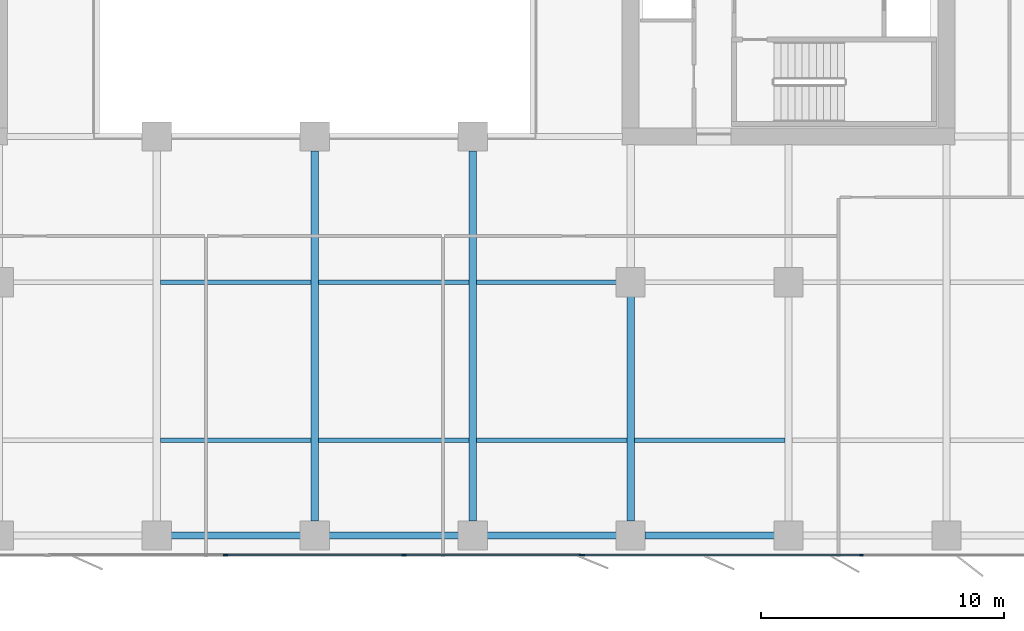
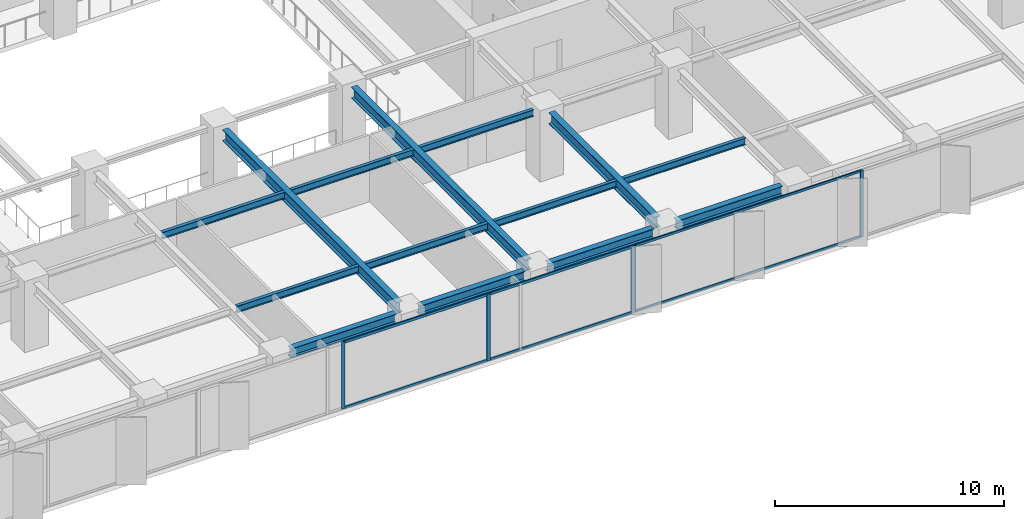
# One storey, part 5 of 20: 14 beams, 11 members, 2 elements without a shape of their own.
"""IFC4 building model written with IfcOpenShell, lengths in metres."""

from ifc_helpers import new_model, si_unit, direction, frame, origin, origin_2d, place, context, subcontext, project, spatial, rectangle, i_section, extrude, material, layer, layer_set, material_profile, profile_set, type_object, element, aggregate, save


model = new_model("IFC4")

# Units and contexts
model_context = context("Model", 3, precision=1e-05, world=origin(), true_north=direction((0.0, 1.0)))
body_context = subcontext(model_context, "Body", "Model", "MODEL_VIEW")
ifc_project = project(units=[si_unit("LENGTHUNIT", "METRE"), si_unit("AREAUNIT", "SQUARE_METRE"), si_unit("VOLUMEUNIT", "CUBIC_METRE"), si_unit("PLANEANGLEUNIT", "RADIAN"), si_unit("MASSUNIT", "GRAM", prefix="KILO")], contexts=[model_context])

# Site, building, storey
site_placement = place(None, origin())
site = spatial("IfcSite", under=ifc_project, at=site_placement, CompositionType="ELEMENT")
building_placement = place(site_placement, origin())
building = spatial("IfcBuilding", under=site, at=building_placement, Name="Putna Gate Headquarters", CompositionType="ELEMENT")
storey_placement = place(building_placement, frame((0.0, 0.0, 108.800048828125)))
storey = spatial("IfcBuildingStorey", under=building, at=storey_placement, Name="L26", CompositionType="ELEMENT", Elevation=108.800048828125)

# Beams
ifc_material_1 = material(Name="Steel S355J2", Category="steel")
ifc_material_profile_1 = material_profile(ifc_material_1, i_section(OverallWidth=0.300048828125, OverallDepth=0.60009765625, WebThickness=0.015380859375, FlangeThickness=0.030029296875, at=origin_2d()), Name="Steel S355J2")
ifc_profile_set_1 = profile_set([ifc_material_profile_1], Name="Steel S355J2")
beam_type_1 = type_object("IfcBeamType", Name="BM-GIRD-Z2-HEB600", PredefinedType="USERDEFINED", material=ifc_profile_set_1)
for number, where, z_axis, x_axis, name in (
    (1, (39.0, 3.16796875, 3.264892578125), (0.0, 1.0, 0.0), (-1.0, 0.0, 0.0), "L26 South Primary Girder X39"),
    (2, (45.5, 3.16796875, 3.264892578125), (0.0, 1.0, 0.0), (-1.0, 0.0, 0.0), "L26 South Primary Girder X45"),
):
    element("IfcBeam", number, at=place(storey_placement, frame(where, z_axis=z_axis, x_axis=x_axis)), inside=storey, type_object=beam_type_1, Name=name, ObjectType="GIRDER", PredefinedType="USERDEFINED", context=body_context, shape_type="SweptSolid", body=[
        extrude(i_section(OverallWidth=0.300048828125, OverallDepth=0.60009765625, WebThickness=0.015380859375, FlangeThickness=0.030029296875, at=origin_2d()), origin(), (0.0, 0.0, 1.0), 15.244140625),
    ])
beam_1_placement = place(storey_placement, frame((52.0, 3.16796875, 3.264892578125), z_axis=(0.0, 1.0, 0.0), x_axis=(-1.0, 0.0, 0.0)))
element("IfcBeam", 3, at=beam_1_placement, inside=storey, type_object=beam_type_1, Name="L26 South Primary Girder X52-1", ObjectType="GIRDER", PredefinedType="USERDEFINED", context=body_context, shape_type="SweptSolid", body=[
    extrude(i_section(OverallWidth=0.300048828125, OverallDepth=0.60009765625, WebThickness=0.015380859375, FlangeThickness=0.030029296875, at=origin_2d()), origin(), (0.0, 0.0, 1.0), 9.244140625),
])
ifc_material_profile_2 = material_profile(ifc_material_1, i_section(OverallWidth=0.169921875, OverallDepth=0.360107421875, WebThickness=0.008056640625, FlangeThickness=0.0126953125, at=origin_2d()), Name="Steel S355J2")
ifc_profile_set_2 = profile_set([ifc_material_profile_2], Name="Steel S355J2")
beam_type_2 = type_object("IfcBeamType", Name="BM-SEC-Z2-IPE360", PredefinedType="BEAM", material=ifc_profile_set_2)
for number, where, z_axis, x_axis, name in (
    (4, (32.654052734375, 6.5, 3.385009765625), (1.0, 0.0, 0.0), (0.0, 1.0, 0.0), "L26 South Secondary Beam 5"),
    (5, (32.654052734375, 13.0, 3.385009765625), (1.0, 0.0, 0.0), (0.0, 1.0, 0.0), "L26 South Secondary Beam 5"),
    (6, (39.154052734375, 6.5, 3.385009765625), (1.0, 0.0, 0.0), (0.0, 1.0, 0.0), "L26 South Secondary Beam 6"),
    (7, (39.154052734375, 13.0, 3.385009765625), (1.0, 0.0, 0.0), (0.0, 1.0, 0.0), "L26 South Secondary Beam 6"),
    (8, (45.654052734375, 6.5, 3.385009765625), (1.0, 0.0, 0.0), (0.0, 1.0, 0.0), "L26 South Secondary Beam 7"),
):
    element("IfcBeam", number, at=place(storey_placement, frame(where, z_axis=z_axis, x_axis=x_axis)), inside=storey, type_object=beam_type_2, Name=name, PredefinedType="BEAM", context=body_context, shape_type="SweptSolid", body=[
        extrude(i_section(OverallWidth=0.169921875, OverallDepth=0.360107421875, WebThickness=0.008056640625, FlangeThickness=0.0126953125, at=origin_2d()), origin(), (0.0, 0.0, 1.0), 6.19189453125),
    ])
beam_2_placement = place(storey_placement, frame((45.654052734375, 13.0, 3.385009765625), z_axis=(1.0, 0.0, 0.0), x_axis=(0.0, 1.0, 0.0)))
element("IfcBeam", 9, at=beam_2_placement, inside=storey, type_object=beam_type_2, Name="L26 South Secondary Beam 7", PredefinedType="BEAM", context=body_context, shape_type="SweptSolid", body=[
    extrude(i_section(OverallWidth=0.169921875, OverallDepth=0.360107421875, WebThickness=0.008056640625, FlangeThickness=0.0126953125, at=origin_2d()), origin(), (0.0, 0.0, 1.0), 5.758056640625),
])
beam_3_placement = place(storey_placement, frame((52.154052734375, 6.5, 3.385009765625), z_axis=(1.0, 0.0, 0.0), x_axis=(0.0, 1.0, 0.0)))
element("IfcBeam", 10, at=beam_3_placement, inside=storey, type_object=beam_type_2, Name="L26 South Secondary Beam 8", PredefinedType="BEAM", context=body_context, shape_type="SweptSolid", body=[
    extrude(i_section(OverallWidth=0.169921875, OverallDepth=0.360107421875, WebThickness=0.008056640625, FlangeThickness=0.0126953125, at=origin_2d()), origin(), (0.0, 0.0, 1.0), 6.19189453125),
])
ifc_material_profile_3 = material_profile(ifc_material_1, i_section(OverallWidth=0.300048828125, OverallDepth=0.489990234375, WebThickness=0.011962890625, FlangeThickness=0.02294921875, at=origin_2d()), Name="Steel S355J2")
ifc_profile_set_3 = profile_set([ifc_material_profile_3], Name="Steel S355J2")
beam_type_3 = type_object("IfcBeamType", Name="BM-SPAN-Z2-HEA500", PredefinedType="SPANDREL", material=ifc_profile_set_3)
for number, where, z_axis, x_axis, name in (
    (11, (33.087890625, 2.580078125, 3.320068359375), (1.0, 0.0, 0.0), (0.0, 1.0, 0.0), "L26 S Perimeter Spandrel 5"),
    (12, (39.587890625, 2.580078125, 3.320068359375), (1.0, 0.0, 0.0), (0.0, 1.0, 0.0), "L26 S Perimeter Spandrel 6"),
    (13, (46.087890625, 2.580078125, 3.320068359375), (1.0, 0.0, 0.0), (0.0, 1.0, 0.0), "L26 S Perimeter Spandrel 7"),
    (14, (52.587890625, 2.580078125, 3.320068359375), (1.0, 0.0, 0.0), (0.0, 1.0, 0.0), "L26 S Perimeter Spandrel 8"),
):
    element("IfcBeam", number, at=place(storey_placement, frame(where, z_axis=z_axis, x_axis=x_axis)), inside=storey, type_object=beam_type_3, Name=name, PredefinedType="SPANDREL", context=body_context, shape_type="SweptSolid", body=[
        extrude(i_section(OverallWidth=0.300048828125, OverallDepth=0.489990234375, WebThickness=0.011962890625, FlangeThickness=0.02294921875, at=origin_2d()), origin(), (0.0, 0.0, 1.0), 5.32421875),
    ])

# Curtain wall, members
ifc_material_2 = material(Name="Anodised bronze aluminium curtain wall", Category="aluminium")
ifc_layer_1 = layer(ifc_material_2, 0.159912109375)
ifc_layer_set_1 = layer_set([ifc_layer_1], Name="Anodised bronze aluminium curtain wall")
curtain_wall_type_1 = type_object("IfcCurtainWallType", Name="CW-SYS-Z2", PredefinedType="USERDEFINED", material=ifc_layer_set_1)
curtain_wall_1_placement = place(storey_placement, origin())
curtain_wall_1 = element("IfcCurtainWall", 15, at=curtain_wall_1_placement, inside=storey, type_object=curtain_wall_type_1, Name="L26 South East Curtain Wall", ObjectType="STICK CURTAIN WALL", PredefinedType="USERDEFINED")
ifc_material_3 = material(Name="Anodised bronze aluminium EN AW-6060", Category="aluminium")
ifc_material_profile_4 = material_profile(ifc_material_3, rectangle(XDim=0.06494140625, YDim=0.159912109375, at=origin_2d()), Name="Anodised bronze aluminium EN AW-6060")
ifc_profile_set_4 = profile_set([ifc_material_profile_4], Name="Anodised bronze aluminium EN AW-6060")
member_type_1 = type_object("IfcMemberType", Name="MULL-CWM-2", PredefinedType="MULLION", material=ifc_profile_set_4)
member_1_placement = place(storey_placement, frame((50.032470703125, 1.780029296875, 0.0), z_axis=(0.0, 0.0, 1.0), x_axis=(0.0, 1.0, 0.0)))
member_1 = element("IfcMember", 16, at=member_1_placement, type_object=member_type_1, Name="CWS-2 mullion 1", PredefinedType="MULLION", context=body_context, shape_type="SweptSolid", body=[
    extrude(rectangle(XDim=0.06494140625, YDim=0.159912109375, at=origin_2d()), origin(), (0.0, 0.0, 1.0), 3.56494140625),
])
member_2_placement = place(storey_placement, frame((61.5, 1.780029296875, 0.0), z_axis=(0.0, 0.0, 1.0), x_axis=(0.0, 1.0, 0.0)))
member_2 = element("IfcMember", 17, at=member_2_placement, type_object=member_type_1, Name="CWS-2 mullion 2", PredefinedType="MULLION", context=body_context, shape_type="SweptSolid", body=[
    extrude(rectangle(XDim=0.06494140625, YDim=0.159912109375, at=origin_2d()), origin(), (0.0, 0.0, 1.0), 3.56494140625),
])

ifc_layer_2 = layer(ifc_material_2, 0.179931640625)
ifc_layer_set_2 = layer_set([ifc_layer_2], Name="Anodised bronze aluminium curtain wall")
curtain_wall_type_2 = type_object("IfcCurtainWallType", Name="CW-SYS-ATR", PredefinedType="USERDEFINED", material=ifc_layer_set_2)
curtain_wall_2_placement = place(storey_placement, origin())
curtain_wall_2 = element("IfcCurtainWall", 18, at=curtain_wall_2_placement, inside=storey, type_object=curtain_wall_type_2, Name="L26 South Atrium Clear Glazing", ObjectType="ATRIUM GLAZING", PredefinedType="USERDEFINED")
ifc_material_profile_5 = material_profile(ifc_material_3, rectangle(XDim=0.070068359375, YDim=0.179931640625, at=origin_2d()), Name="Anodised bronze aluminium EN AW-6060")
ifc_profile_set_5 = profile_set([ifc_material_profile_5], Name="Anodised bronze aluminium EN AW-6060")
member_type_2 = type_object("IfcMemberType", Name="MULL-CWM-AT", PredefinedType="MULLION", material=ifc_profile_set_5)
member_3_placement = place(storey_placement, frame((35.333251953125, 1.780029296875, 0.0), z_axis=(0.0, 0.0, 1.0), x_axis=(0.0, 1.0, 0.0)))
member_3 = element("IfcMember", 19, at=member_3_placement, type_object=member_type_2, Name="CWS-AT mullion 2", PredefinedType="MULLION", context=body_context, shape_type="SweptSolid", body=[
    extrude(rectangle(XDim=0.070068359375, YDim=0.179931640625, at=origin_2d()), origin(), (0.0, 0.0, 1.0), 3.56494140625),
])
member_4_placement = place(storey_placement, frame((42.666748046875, 1.780029296875, 0.0), z_axis=(0.0, 0.0, 1.0), x_axis=(0.0, 1.0, 0.0)))
member_4 = element("IfcMember", 20, at=member_4_placement, type_object=member_type_2, Name="CWS-AT mullion 3", PredefinedType="MULLION", context=body_context, shape_type="SweptSolid", body=[
    extrude(rectangle(XDim=0.070068359375, YDim=0.179931640625, at=origin_2d()), origin(), (0.0, 0.0, 1.0), 3.56494140625),
])
member_5_placement = place(storey_placement, frame((49.965087890625, 1.780029296875, 0.0), z_axis=(0.0, 0.0, 1.0), x_axis=(0.0, 1.0, 0.0)))
member_5 = element("IfcMember", 21, at=member_5_placement, type_object=member_type_2, Name="CWS-AT mullion 4", PredefinedType="MULLION", context=body_context, shape_type="SweptSolid", body=[
    extrude(rectangle(XDim=0.070068359375, YDim=0.179931640625, at=origin_2d()), origin(), (0.0, 0.0, 1.0), 3.56494140625),
])

# Member
ifc_material_profile_6 = material_profile(ifc_material_3, rectangle(XDim=0.06494140625, YDim=0.1201171875, at=origin_2d()), Name="Anodised bronze aluminium EN AW-6060")
ifc_profile_set_6 = profile_set([ifc_material_profile_6], Name="Anodised bronze aluminium EN AW-6060")
member_type_3 = type_object("IfcMemberType", Name="TRAN-CWT-2", PredefinedType="USERDEFINED", material=ifc_profile_set_6)
member_6_placement = place(storey_placement, frame((50.06494140625, 1.780029296875, 0.032470703125), z_axis=(1.0, 0.0, 0.0), x_axis=(0.0, 1.0, 0.0)))
member_6 = element("IfcMember", 22, at=member_6_placement, type_object=member_type_3, Name="CWS-2 transom 1.1", ObjectType="TRANSOM", PredefinedType="USERDEFINED", context=body_context, shape_type="SweptSolid", body=[
    extrude(rectangle(XDim=0.06494140625, YDim=0.1201171875, at=origin_2d()), origin(), (0.0, 0.0, 1.0), 11.402587890625),
])

member_7_placement = place(storey_placement, frame((50.06494140625, 1.780029296875, 3.532470703125), z_axis=(1.0, 0.0, 0.0), x_axis=(0.0, 1.0, 0.0)))
member_7 = element("IfcMember", 23, at=member_7_placement, type_object=member_type_3, Name="CWS-2 transom 1.2", ObjectType="TRANSOM", PredefinedType="USERDEFINED", context=body_context, shape_type="SweptSolid", body=[
    extrude(rectangle(XDim=0.06494140625, YDim=0.1201171875, at=origin_2d()), origin(), (0.0, 0.0, 1.0), 11.402587890625),
])

aggregate(curtain_wall_1, [member_1, member_2, member_6, member_7])

ifc_material_profile_7 = material_profile(ifc_material_3, rectangle(XDim=0.070068359375, YDim=0.139892578125, at=origin_2d()), Name="Anodised bronze aluminium EN AW-6060")
ifc_profile_set_7 = profile_set([ifc_material_profile_7], Name="Anodised bronze aluminium EN AW-6060")
member_type_4 = type_object("IfcMemberType", Name="TRAN-CWT-AT", PredefinedType="USERDEFINED", material=ifc_profile_set_7)
member_8_placement = place(storey_placement, frame((35.368408203125, 1.780029296875, 0.034912109375), z_axis=(1.0, 0.0, 0.0), x_axis=(0.0, 1.0, 0.0)))
member_8 = element("IfcMember", 24, at=member_8_placement, type_object=member_type_4, Name="CWS-AT transom 2.1", ObjectType="TRANSOM", PredefinedType="USERDEFINED", context=body_context, shape_type="SweptSolid", body=[
    extrude(rectangle(XDim=0.070068359375, YDim=0.139892578125, at=origin_2d()), origin(), (0.0, 0.0, 1.0), 7.26318359375),
])

member_9_placement = place(storey_placement, frame((35.368408203125, 1.780029296875, 3.530029296875), z_axis=(1.0, 0.0, 0.0), x_axis=(0.0, 1.0, 0.0)))
member_9 = element("IfcMember", 25, at=member_9_placement, type_object=member_type_4, Name="CWS-AT transom 2.2", ObjectType="TRANSOM", PredefinedType="USERDEFINED", context=body_context, shape_type="SweptSolid", body=[
    extrude(rectangle(XDim=0.070068359375, YDim=0.139892578125, at=origin_2d()), origin(), (0.0, 0.0, 1.0), 7.26318359375),
])

member_10_placement = place(storey_placement, frame((42.70166015625, 1.780029296875, 0.034912109375), z_axis=(1.0, 0.0, 0.0), x_axis=(0.0, 1.0, 0.0)))
member_10 = element("IfcMember", 26, at=member_10_placement, type_object=member_type_4, Name="CWS-AT transom 3.1", ObjectType="TRANSOM", PredefinedType="USERDEFINED", context=body_context, shape_type="SweptSolid", body=[
    extrude(rectangle(XDim=0.070068359375, YDim=0.139892578125, at=origin_2d()), origin(), (0.0, 0.0, 1.0), 7.228271484375),
])

member_11_placement = place(storey_placement, frame((42.70166015625, 1.780029296875, 3.530029296875), z_axis=(1.0, 0.0, 0.0), x_axis=(0.0, 1.0, 0.0)))
member_11 = element("IfcMember", 27, at=member_11_placement, type_object=member_type_4, Name="CWS-AT transom 3.2", ObjectType="TRANSOM", PredefinedType="USERDEFINED", context=body_context, shape_type="SweptSolid", body=[
    extrude(rectangle(XDim=0.070068359375, YDim=0.139892578125, at=origin_2d()), origin(), (0.0, 0.0, 1.0), 7.228271484375),
])

aggregate(curtain_wall_2, [member_3, member_4, member_5, member_8, member_9, member_10, member_11])

save(model, "model.ifc")
